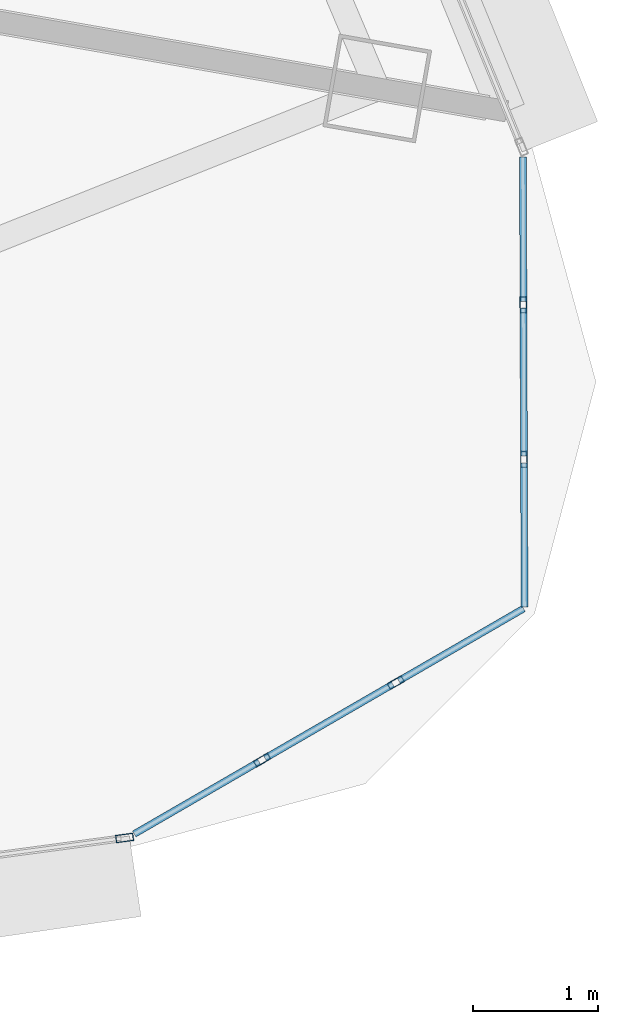
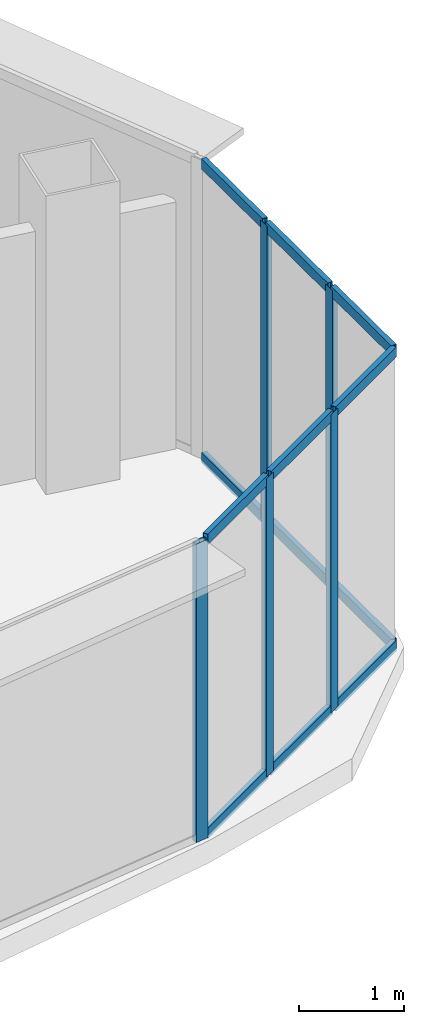
# One storey, part 14 of 33: 17 members, 3 elements without a shape of their own.
"""IFC4 building model written with IfcOpenShell, lengths in metres."""

from ifc_helpers import new_model, si_unit, direction, frame, origin, origin_2d, place, context, subcontext, project, spatial, hollow_rectangle, extrude, source, transform, mapped, material, layer, layer_set, material_profile, profile_set, type_object, element, aggregate, save


model = new_model("IFC4")

# Units and contexts
model_context = context("Model", 3, precision=1e-05, world=origin(), true_north=direction((0.0, 1.0)))
body_context = subcontext(model_context, "Body", "Model", "MODEL_VIEW")
ifc_project = project(units=[si_unit("LENGTHUNIT", "METRE"), si_unit("AREAUNIT", "SQUARE_METRE"), si_unit("VOLUMEUNIT", "CUBIC_METRE"), si_unit("PLANEANGLEUNIT", "RADIAN"), si_unit("MASSUNIT", "GRAM", prefix="KILO"), si_unit("THERMODYNAMICTEMPERATUREUNIT", "KELVIN"), si_unit("POWERUNIT", "WATT")], contexts=[model_context])

# Site, building, storey
site_placement = place(None, origin())
site = spatial("IfcSite", under=ifc_project, at=site_placement, CompositionType="ELEMENT")
building_placement = place(site_placement, origin())
building = spatial("IfcBuilding", under=site, at=building_placement, Name="Yunzhuo Pagoda Commons", CompositionType="ELEMENT")
storey_placement = place(building_placement, frame((0.0, 0.0, 311.1298828125)))
storey = spatial("IfcBuildingStorey", under=building, at=storey_placement, Name="L78", CompositionType="ELEMENT", Elevation=311.1298828125)

# Curtain wall, member
ifc_material = material(Name="Anodized aluminium 6063-T6", Category="aluminium")
ifc_layer_1 = layer(ifc_material, 0.139892578125)
ifc_layer_set_1 = layer_set([ifc_layer_1], Name="Anodized aluminium 6063-T6")
curtain_wall_type_1 = type_object("IfcCurtainWallType", Name="CW-HI High-Zone Ribbon Curtain Wall", PredefinedType="NOTDEFINED", material=ifc_layer_set_1)
curtain_wall_1_placement = place(storey_placement, origin())
curtain_wall_1 = element("IfcCurtainWall", 1, at=curtain_wall_1_placement, inside=storey, type_object=curtain_wall_type_1, Name="L78 curtain wall CW-L78-F1B5", PredefinedType="NOTDEFINED")
ifc_material_profile_1 = material_profile(ifc_material, hollow_rectangle(XDim=0.06005859375, YDim=0.139892578125, WallThickness=0.00341796875, at=origin_2d()), Name="Anodized aluminium 6063-T6")
ifc_profile_set_1 = profile_set([ifc_material_profile_1], Name="Anodized aluminium 6063-T6")
member_type_1 = type_object("IfcMemberType", Name="CW-HI-M Mullion RHS 140x60x3.5", PredefinedType="MULLION", material=ifc_profile_set_1)
shared_shape_1 = source(origin(), body_context, "Body", "SweptSolid", [
    extrude(hollow_rectangle(XDim=0.06005859375, YDim=0.139892578125, WallThickness=0.00341796875, at=origin_2d()), origin(), (0.0, 0.0, 1.0), 3.47021484375),
])
member_1_placement = place(storey_placement, frame((74.6435546875, 22.660888671875, 0.0), z_axis=(0.0, 0.0, 1.0), x_axis=(-0.133518525759, 0.991046317424, 0.0)))
member_1 = element("IfcMember", 2, at=member_1_placement, type_object=member_type_1, Name="CW mullion 2", PredefinedType="MULLION", context=body_context, shape_type="MappedRepresentation", body=[
    mapped(shared_shape_1, transform((0.0, 0.0, 0.0), scale=1.0)),
])
aggregate(curtain_wall_1, [member_1])

# Curtain wall, members
ifc_layer_2 = layer(ifc_material, 0.1298828125)
ifc_layer_set_2 = layer_set([ifc_layer_2], Name="Anodized aluminium 6063-T6")
curtain_wall_type_2 = type_object("IfcCurtainWallType", Name="CW-VTX Rounded Corner Curtain Wall", PredefinedType="NOTDEFINED", material=ifc_layer_set_2)
curtain_wall_2_placement = place(storey_placement, origin())
curtain_wall_2 = element("IfcCurtainWall", 3, at=curtain_wall_2_placement, inside=storey, type_object=curtain_wall_type_2, Name="L78 curtain wall CW-L78-VTX2S1", PredefinedType="NOTDEFINED")
ifc_material_profile_2 = material_profile(ifc_material, hollow_rectangle(XDim=0.054931640625, YDim=0.1298828125, WallThickness=0.00341796875, at=origin_2d()), Name="Anodized aluminium 6063-T6")
ifc_profile_set_2 = profile_set([ifc_material_profile_2], Name="Anodized aluminium 6063-T6")
member_type_2 = type_object("IfcMemberType", Name="CW-VTX-M Mullion RHS 130x55x3.5", PredefinedType="MULLION", material=ifc_profile_set_2)
shared_shape_2 = source(origin(), body_context, "Body", "SweptSolid", [
    extrude(hollow_rectangle(XDim=0.054931640625, YDim=0.1298828125, WallThickness=0.00341796875, at=origin_2d()), origin(), (0.0, 0.0, 1.0), 3.47021484375),
])
member_2_placement = place(storey_placement, frame((75.741455078125, 23.283203125, 0.0), z_axis=(0.0, 0.0, 1.0), x_axis=(-0.501026687771, 0.86543183333, 0.0)))
member_2 = element("IfcMember", 4, at=member_2_placement, type_object=member_type_2, Name="CW mullion 2", PredefinedType="MULLION", context=body_context, shape_type="MappedRepresentation", body=[
    mapped(shared_shape_2, transform((0.0, 0.0, 0.0), scale=1.0)),
])
member_3_placement = place(storey_placement, frame((76.809326171875, 23.901611328125, 0.0), z_axis=(0.0, 0.0, 1.0), x_axis=(-0.501026687771, 0.86543183333, 0.0)))
member_3 = element("IfcMember", 5, at=member_3_placement, type_object=member_type_2, Name="CW mullion 3", PredefinedType="MULLION", context=body_context, shape_type="MappedRepresentation", body=[
    mapped(shared_shape_2, transform((0.0, 0.0, 0.0), scale=1.0)),
])

curtain_wall_3_placement = place(storey_placement, origin())
curtain_wall_3 = element("IfcCurtainWall", 6, at=curtain_wall_3_placement, inside=storey, type_object=curtain_wall_type_2, Name="L78 curtain wall CW-L78-VTX2S2", PredefinedType="NOTDEFINED")
member_4_placement = place(storey_placement, frame((77.8330078125, 25.6845703125, 0.0), z_axis=(0.0, 0.0, 1.0), x_axis=(-0.999993547183, -0.003592435359, 0.0)))
member_4 = element("IfcMember", 7, at=member_4_placement, type_object=member_type_2, Name="CW mullion 2", PredefinedType="MULLION", context=body_context, shape_type="MappedRepresentation", body=[
    mapped(shared_shape_2, transform((0.0, 0.0, 0.0), scale=1.0)),
])
member_5_placement = place(storey_placement, frame((77.82861328125, 26.91845703125, 0.0), z_axis=(0.0, 0.0, 1.0), x_axis=(-0.999993547183, -0.003592435359, 0.0)))
member_5 = element("IfcMember", 8, at=member_5_placement, type_object=member_type_2, Name="CW mullion 3", PredefinedType="MULLION", context=body_context, shape_type="MappedRepresentation", body=[
    mapped(shared_shape_2, transform((0.0, 0.0, 0.0), scale=1.0)),
])

# Member
ifc_material_profile_3 = material_profile(ifc_material, hollow_rectangle(XDim=0.054931640625, YDim=0.1201171875, WallThickness=0.00341796875, at=origin_2d()), Name="Anodized aluminium 6063-T6")
ifc_profile_set_3 = profile_set([ifc_material_profile_3], Name="Anodized aluminium 6063-T6")
member_type_3 = type_object("IfcMemberType", Name="CW-VTX-T Transom RHS 120x55x3.5", PredefinedType="USERDEFINED", material=ifc_profile_set_3)
shared_shape_3 = source(origin(), body_context, "Body", "SweptSolid", [
    extrude(hollow_rectangle(XDim=0.054931640625, YDim=0.1201171875, WallThickness=0.00341796875, at=origin_2d()), origin(), (0.0, 0.0, 1.0), 1.151611328125),
])
member_6_placement = place(storey_placement, frame((74.720947265625, 22.692626953125, 0.027587890625), z_axis=(0.865450477202, 0.500994482515, 0.0), x_axis=(-0.500994482515, 0.865450477202, 0.0)))
member_6 = element("IfcMember", 9, at=member_6_placement, type_object=member_type_3, Name="CW transom 1.1", ObjectType="TRANSOM", PredefinedType="USERDEFINED", context=body_context, shape_type="MappedRepresentation", body=[
    mapped(shared_shape_3, transform((0.0, 0.0, 0.0), scale=1.0)),
])

member_7_placement = place(storey_placement, frame((74.720947265625, 22.692626953125, 3.442626953125), z_axis=(0.865450477202, 0.500994482515, 0.0), x_axis=(-0.500994482515, 0.865450477202, 0.0)))
member_7 = element("IfcMember", 10, at=member_7_placement, type_object=member_type_3, Name="CW transom 1.2", ObjectType="TRANSOM", PredefinedType="USERDEFINED", context=body_context, shape_type="MappedRepresentation", body=[
    mapped(shared_shape_3, transform((0.0, 0.0, 0.0), scale=1.0)),
])

member_8_placement = place(storey_placement, frame((76.833251953125, 23.915283203125, 0.027587890625), z_axis=(0.865358545126, 0.501153258373, 0.0), x_axis=(-0.501153258373, 0.865358545126, 0.0)))
member_8 = element("IfcMember", 11, at=member_8_placement, type_object=member_type_3, Name="CW transom 3.1", ObjectType="TRANSOM", PredefinedType="USERDEFINED", context=body_context, shape_type="MappedRepresentation", body=[
    mapped(shared_shape_3, transform((0.0, 0.0, 0.0), scale=1.0)),
])

member_9_placement = place(storey_placement, frame((76.833251953125, 23.915283203125, 3.442626953125), z_axis=(0.865358545126, 0.501153258373, 0.0), x_axis=(-0.501153258373, 0.865358545126, 0.0)))
member_9 = element("IfcMember", 12, at=member_9_placement, type_object=member_type_3, Name="CW transom 3.2", ObjectType="TRANSOM", PredefinedType="USERDEFINED", context=body_context, shape_type="MappedRepresentation", body=[
    mapped(shared_shape_3, transform((0.0, 0.0, 0.0), scale=1.0)),
])

member_10_placement = place(storey_placement, frame((77.83740234375, 24.50537109375, 0.027587890625), z_axis=(-0.003603962179, 0.999993505707, 0.0), x_axis=(-0.999993505707, -0.003603962179, 0.0)))
member_10 = element("IfcMember", 13, at=member_10_placement, type_object=member_type_3, Name="CW transom 1.1", ObjectType="TRANSOM", PredefinedType="USERDEFINED", context=body_context, shape_type="MappedRepresentation", body=[
    mapped(shared_shape_3, transform((0.0, 0.0, 0.0), scale=1.0)),
])

member_11_placement = place(storey_placement, frame((77.83740234375, 24.50537109375, 3.442626953125), z_axis=(-0.003603962179, 0.999993505707, 0.0), x_axis=(-0.999993505707, -0.003603962179, 0.0)))
member_11 = element("IfcMember", 14, at=member_11_placement, type_object=member_type_3, Name="CW transom 1.2", ObjectType="TRANSOM", PredefinedType="USERDEFINED", context=body_context, shape_type="MappedRepresentation", body=[
    mapped(shared_shape_3, transform((0.0, 0.0, 0.0), scale=1.0)),
])

member_12_placement = place(storey_placement, frame((77.82861328125, 26.946044921875, 0.027587890625), z_axis=(-0.003603962179, 0.999993505707, 0.0), x_axis=(-0.999993505707, -0.003603962179, 0.0)))
member_12 = element("IfcMember", 15, at=member_12_placement, type_object=member_type_3, Name="CW transom 3.1", ObjectType="TRANSOM", PredefinedType="USERDEFINED", context=body_context, shape_type="MappedRepresentation", body=[
    mapped(shared_shape_3, transform((0.0, 0.0, 0.0), scale=1.0)),
])

member_13_placement = place(storey_placement, frame((77.82861328125, 26.946044921875, 3.442626953125), z_axis=(-0.003603962179, 0.999993505707, 0.0), x_axis=(-0.999993505707, -0.003603962179, 0.0)))
member_13 = element("IfcMember", 16, at=member_13_placement, type_object=member_type_3, Name="CW transom 3.2", ObjectType="TRANSOM", PredefinedType="USERDEFINED", context=body_context, shape_type="MappedRepresentation", body=[
    mapped(shared_shape_3, transform((0.0, 0.0, 0.0), scale=1.0)),
])

shared_shape_4 = source(origin(), body_context, "Body", "SweptSolid", [
    extrude(hollow_rectangle(XDim=0.054931640625, YDim=0.1201171875, WallThickness=0.00341796875, at=origin_2d()), origin(), (0.0, 0.0, 1.0), 1.17919921875),
])
member_14_placement = place(storey_placement, frame((77.8330078125, 25.7119140625, 0.027587890625), z_axis=(-0.003726682196, 0.999993055896, 0.0), x_axis=(-0.999993055896, -0.003726682196, 0.0)))
member_14 = element("IfcMember", 17, at=member_14_placement, type_object=member_type_3, Name="CW transom 2.1", ObjectType="TRANSOM", PredefinedType="USERDEFINED", context=body_context, shape_type="MappedRepresentation", body=[
    mapped(shared_shape_4, transform((0.0, 0.0, 0.0), scale=1.0)),
])

member_15_placement = place(storey_placement, frame((77.8330078125, 25.7119140625, 3.442626953125), z_axis=(-0.003726682196, 0.999993055896, 0.0), x_axis=(-0.999993055896, -0.003726682196, 0.0)))
member_15 = element("IfcMember", 18, at=member_15_placement, type_object=member_type_3, Name="CW transom 2.2", ObjectType="TRANSOM", PredefinedType="USERDEFINED", context=body_context, shape_type="MappedRepresentation", body=[
    mapped(shared_shape_4, transform((0.0, 0.0, 0.0), scale=1.0)),
])

aggregate(curtain_wall_3, [member_4, member_5, member_10, member_11, member_14, member_15, member_12, member_13])

shared_shape_5 = source(origin(), body_context, "Body", "SweptSolid", [
    extrude(hollow_rectangle(XDim=0.054931640625, YDim=0.1201171875, WallThickness=0.00341796875, at=origin_2d()), origin(), (0.0, 0.0, 1.0), 1.179443359375),
])
member_16_placement = place(storey_placement, frame((75.76513671875, 23.297119140625, 0.027587890625), z_axis=(0.865388493917, 0.501101541204, 0.0), x_axis=(-0.501101541204, 0.865388493917, 0.0)))
member_16 = element("IfcMember", 19, at=member_16_placement, type_object=member_type_3, Name="CW transom 2.1", ObjectType="TRANSOM", PredefinedType="USERDEFINED", context=body_context, shape_type="MappedRepresentation", body=[
    mapped(shared_shape_5, transform((0.0, 0.0, 0.0), scale=1.0)),
])

member_17_placement = place(storey_placement, frame((75.76513671875, 23.297119140625, 3.442626953125), z_axis=(0.865388493917, 0.501101541204, 0.0), x_axis=(-0.501101541204, 0.865388493917, 0.0)))
member_17 = element("IfcMember", 20, at=member_17_placement, type_object=member_type_3, Name="CW transom 2.2", ObjectType="TRANSOM", PredefinedType="USERDEFINED", context=body_context, shape_type="MappedRepresentation", body=[
    mapped(shared_shape_5, transform((0.0, 0.0, 0.0), scale=1.0)),
])

aggregate(curtain_wall_2, [member_2, member_3, member_6, member_7, member_16, member_17, member_8, member_9])

save(model, "model.ifc")
